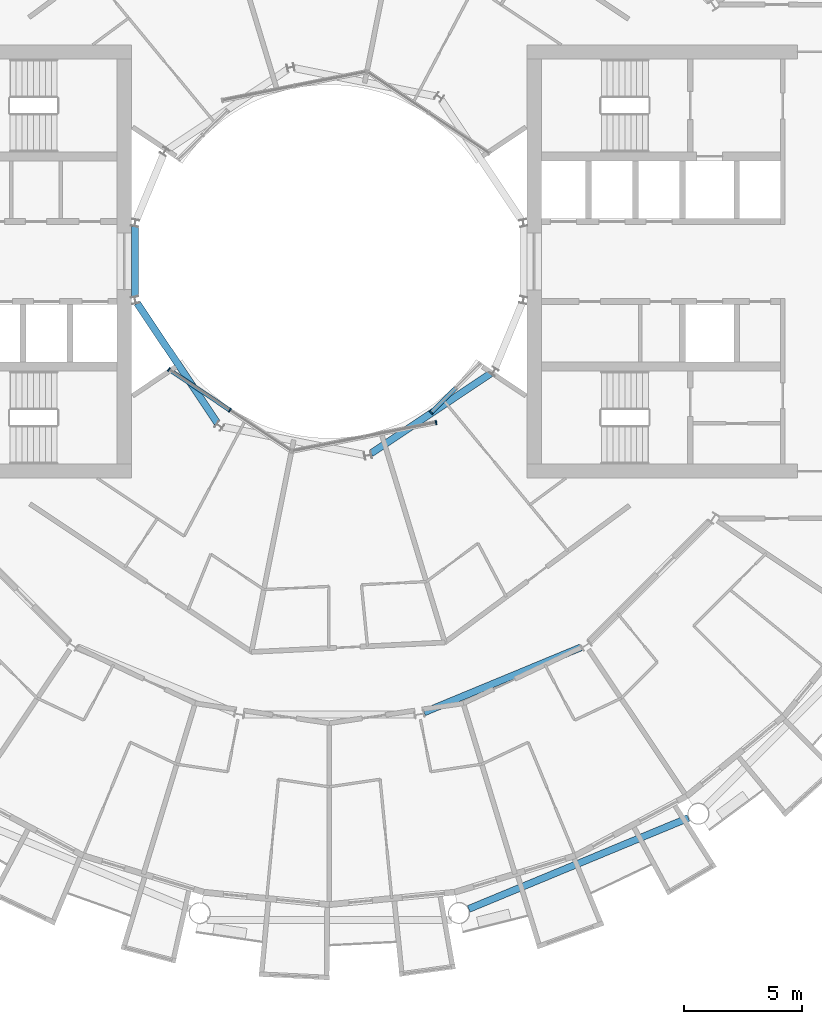
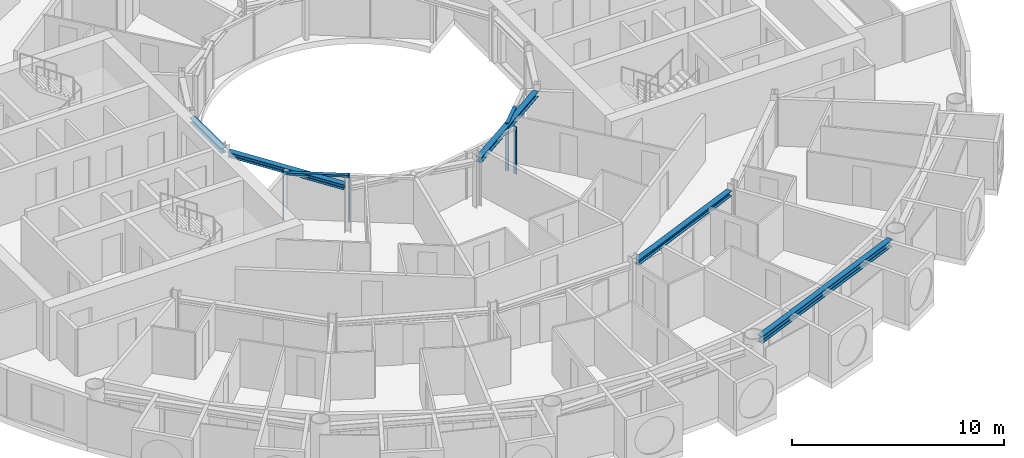
# One storey, part 6 of 27: 6 members, 5 beams, 3 elements without a shape of their own.
"""IFC4 building model written with IfcOpenShell, lengths in metres."""

from ifc_helpers import new_model, si_unit, direction, frame, origin, origin_2d, place, context, subcontext, project, spatial, rectangle, i_section, extrude, material, layer, layer_set, material_profile, profile_set, type_object, element, aggregate, save


model = new_model("IFC4")

# Units and contexts
model_context = context("Model", 3, precision=1e-05, world=origin(), true_north=direction((0.0, 1.0)))
body_context = subcontext(model_context, "Body", "Model", "MODEL_VIEW")
ifc_project = project(units=[si_unit("LENGTHUNIT", "METRE"), si_unit("AREAUNIT", "SQUARE_METRE"), si_unit("VOLUMEUNIT", "CUBIC_METRE"), si_unit("PLANEANGLEUNIT", "RADIAN"), si_unit("MASSUNIT", "GRAM", prefix="KILO")], contexts=[model_context])

# Site, building, storey
site_placement = place(None, origin())
site = spatial("IfcSite", under=ifc_project, at=site_placement, CompositionType="ELEMENT")
building_placement = place(site_placement, origin())
building = spatial("IfcBuilding", under=site, at=building_placement, Name="Maasbend Ring Residences", CompositionType="ELEMENT")
storey_placement = place(building_placement, frame((0.0, 0.0, 126.89990234375)))
storey = spatial("IfcBuildingStorey", under=building, at=storey_placement, Name="L36", CompositionType="ELEMENT", Elevation=126.89990234375)

# Curtain wall, members
ifc_material_1 = material(Name="Aluminium and clear glass", Category="aluminium")
ifc_layer = layer(ifc_material_1, 0.179931640625)
ifc_layer_set = layer_set([ifc_layer], Name="CW-W")
curtain_wall_type = type_object("IfcCurtainWallType", Name="CW-W", PredefinedType="NOTDEFINED", material=ifc_layer_set)
curtain_wall_1_placement = place(storey_placement, origin())
curtain_wall_1 = element("IfcCurtainWall", 1, at=curtain_wall_1_placement, inside=storey, type_object=curtain_wall_type, Name="Well curtain wall S1", PredefinedType="NOTDEFINED")
ifc_material_2 = material(Name="Aluminium 6063-T6", Category="aluminium")
ifc_material_profile_1 = material_profile(ifc_material_2, rectangle(XDim=0.179931640625, YDim=0.06005859375, at=origin_2d()), Name="AL 180x60")
ifc_profile_set_1 = profile_set([ifc_material_profile_1], Name="Aluminium 6063-T6")
member_type_1 = type_object("IfcMemberType", Name="CWM-W", PredefinedType="MULLION", material=ifc_profile_set_1)
member_1_placement = place(storey_placement, frame((-6.805908203125, -4.580810546875, 0.0), z_axis=(0.0, 0.0, 1.0), x_axis=(0.55557023302, 0.831469612303, 0.0)))
member_1 = element("IfcMember", 2, at=member_1_placement, type_object=member_type_1, Name="Mullion well face", PredefinedType="MULLION", context=body_context, shape_type="SweptSolid", body=[
    extrude(rectangle(XDim=0.179931640625, YDim=0.06005859375, at=origin_2d()), origin(), (0.0, 0.0, 1.0), 2.7001953125),
])
member_2_placement = place(storey_placement, frame((-4.216796875, -6.310791015625, 0.0), z_axis=(0.0, 0.0, 1.0), x_axis=(0.55557023302, 0.831469612303, 0.0)))
member_2 = element("IfcMember", 3, at=member_2_placement, type_object=member_type_1, Name="Mullion well face", PredefinedType="MULLION", context=body_context, shape_type="SweptSolid", body=[
    extrude(rectangle(XDim=0.179931640625, YDim=0.06005859375, at=origin_2d()), origin(), (0.0, 0.0, 1.0), 2.7001953125),
])

# Curtain wall, member
curtain_wall_2_placement = place(storey_placement, origin())
curtain_wall_2 = element("IfcCurtainWall", 4, at=curtain_wall_2_placement, inside=storey, type_object=curtain_wall_type, Name="Well curtain wall S2", PredefinedType="NOTDEFINED")
member_3_placement = place(storey_placement, frame((4.53466796875, -6.836669921875, 0.0), z_axis=(0.0, 0.0, 1.0), x_axis=(-0.195090322016, 0.980785280403, 0.0)))
member_3 = element("IfcMember", 5, at=member_3_placement, type_object=member_type_1, Name="Mullion well face", PredefinedType="MULLION", context=body_context, shape_type="SweptSolid", body=[
    extrude(rectangle(XDim=0.179931640625, YDim=0.06005859375, at=origin_2d()), origin(), (0.0, 0.0, 1.0), 2.7001953125),
])
aggregate(curtain_wall_2, [member_3])

curtain_wall_3_placement = place(storey_placement, origin())
curtain_wall_3 = element("IfcCurtainWall", 6, at=curtain_wall_3_placement, inside=storey, type_object=curtain_wall_type, Name="Well curtain wall S3", PredefinedType="NOTDEFINED")
member_4_placement = place(storey_placement, frame((4.320556640625, -6.413330078125, 0.0), z_axis=(0.0, 0.0, 1.0), x_axis=(-0.707106781187, 0.707106781187, 0.0)))
member_4 = element("IfcMember", 7, at=member_4_placement, type_object=member_type_1, Name="Mullion well face", PredefinedType="MULLION", context=body_context, shape_type="SweptSolid", body=[
    extrude(rectangle(XDim=0.179931640625, YDim=0.06005859375, at=origin_2d()), origin(), (0.0, 0.0, 1.0), 2.7001953125),
])

# Member
ifc_material_3 = material(Name="Aluminium 6063-T6", Category="aluminium")
ifc_material_profile_2 = material_profile(ifc_material_3, rectangle(XDim=0.179931640625, YDim=0.1201171875, at=origin_2d()), Name="AL 180x120")
ifc_profile_set_2 = profile_set([ifc_material_profile_2], Name="Aluminium 6063-T6")
member_type_2 = type_object("IfcMemberType", Name="CWT-W", PredefinedType="USERDEFINED", material=ifc_profile_set_2)
member_5_placement = place(storey_placement, frame((-6.781005859375, -4.59765625, 2.64013671875), z_axis=(0.831496422459, -0.555530106689, 0.0), x_axis=(0.555530106689, 0.831496422459, 0.0)))
member_5 = element("IfcMember", 8, at=member_5_placement, type_object=member_type_2, Name="Transom well face", ObjectType="TRANSOM", PredefinedType="USERDEFINED", context=body_context, shape_type="SweptSolid", body=[
    extrude(rectangle(XDim=0.179931640625, YDim=0.1201171875, at=origin_2d()), origin(), (0.0, 0.0, 1.0), 3.053955078125),
])

aggregate(curtain_wall_1, [member_1, member_2, member_5])

member_6_placement = place(storey_placement, frame((4.341796875, -6.39208984375, 2.64013671875), z_axis=(0.707106781187, 0.707106781187, 0.0), x_axis=(-0.707106781187, 0.707106781187, 0.0)))
member_6 = element("IfcMember", 9, at=member_6_placement, type_object=member_type_2, Name="Transom well face", ObjectType="TRANSOM", PredefinedType="USERDEFINED", context=body_context, shape_type="SweptSolid", body=[
    extrude(rectangle(XDim=0.179931640625, YDim=0.1201171875, at=origin_2d()), origin(), (0.0, 0.0, 1.0), 1.419677734375),
])

aggregate(curtain_wall_3, [member_4, member_6])

# Beams
ifc_material_4 = material(Name="Steel S355J2", Category="steel")
ifc_material_profile_3 = material_profile(ifc_material_4, i_section(OverallWidth=0.300048828125, OverallDepth=0.2900390625, WebThickness=0.008544921875, FlangeThickness=0.013916015625, FilletRadius=0.027099609375, at=origin_2d()), Name="HEA 300")
ifc_profile_set_3 = profile_set([ifc_material_profile_3], Name="Steel S355J2")
beam_type_1 = type_object("IfcBeamType", Name="Corridor ring beam HEA 300", PredefinedType="BEAM", material=ifc_profile_set_3)
beam_1_placement = place(storey_placement, frame((4.02734375, -19.13916015625, 2.55517578125), z_axis=(0.923877693919, 0.382687871089, 0.0), x_axis=(-0.382687871089, 0.923877693919, 0.0)))
element("IfcBeam", 10, at=beam_1_placement, inside=storey, type_object=beam_type_1, Name="Corridor ring beam", PredefinedType="BEAM", context=body_context, shape_type="SweptSolid", body=[
    extrude(i_section(OverallWidth=0.300048828125, OverallDepth=0.2900390625, WebThickness=0.008544921875, FlangeThickness=0.013916015625, FilletRadius=0.027099609375, at=origin_2d()), origin(), (0.0, 0.0, 1.0), 7.20703125),
])
ifc_material_5 = material(Name="Steel S355J2", Category="steel")
ifc_material_profile_4 = material_profile(ifc_material_5, i_section(OverallWidth=0.300048828125, OverallDepth=0.39990234375, WebThickness=0.013427734375, FlangeThickness=0.02392578125, FilletRadius=0.027099609375, at=origin_2d()), Name="HEB 400")
ifc_profile_set_4 = profile_set([ifc_material_profile_4], Name="Steel S355J2")
beam_type_2 = type_object("IfcBeamType", Name="Spandrel ring beam HEB 400", PredefinedType="SPANDREL", material=ifc_profile_set_4)
beam_2_placement = place(storey_placement, frame((5.923583984375, -27.483154296875, 2.5), z_axis=(0.92388529709, 0.382669515144, 0.0), x_axis=(-0.382669515144, 0.92388529709, 0.0)))
element("IfcBeam", 11, at=beam_2_placement, inside=storey, type_object=beam_type_2, Name="Spandrel ring beam", PredefinedType="SPANDREL", context=body_context, shape_type="SweptSolid", body=[
    extrude(i_section(OverallWidth=0.300048828125, OverallDepth=0.39990234375, WebThickness=0.013427734375, FlangeThickness=0.02392578125, FilletRadius=0.027099609375, at=origin_2d()), origin(), (0.0, 0.0, 1.0), 10.089111328125),
])
ifc_material_6 = material(Name="Steel S355J2", Category="steel")
ifc_material_profile_5 = material_profile(ifc_material_6, i_section(OverallWidth=0.300048828125, OverallDepth=0.2900390625, WebThickness=0.008544921875, FlangeThickness=0.013916015625, FilletRadius=0.027099609375, at=origin_2d()), Name="HEA 300")
ifc_profile_set_5 = profile_set([ifc_material_profile_5], Name="Steel S355J2")
beam_type_3 = type_object("IfcBeamType", Name="Well edge beam HEA 300", PredefinedType="BEAM", material=ifc_profile_set_5)
beam_3_placement = place(storey_placement, frame((-8.238525390625, 1.48583984375, 2.55517578125), z_axis=(0.0, -1.0, 0.0), x_axis=(1.0, 0.0, 0.0)))
element("IfcBeam", 12, at=beam_3_placement, inside=storey, type_object=beam_type_3, Name="Well edge beam", PredefinedType="BEAM", context=body_context, shape_type="SweptSolid", body=[
    extrude(i_section(OverallWidth=0.300048828125, OverallDepth=0.2900390625, WebThickness=0.008544921875, FlangeThickness=0.013916015625, FilletRadius=0.027099609375, at=origin_2d()), origin(), (0.0, 0.0, 1.0), 2.9716796875),
])
for number, where, z_axis, x_axis, name in (
    (13, (-8.1484375, -1.773681640625, 2.55517578125), (0.555558236289, -0.831477628137, 0.0), (0.831477628137, 0.555558236289, 0.0), "Well edge beam"),
    (14, (1.773681640625, -8.1484375, 2.55517578125), (0.831477628137, 0.555558236289, 0.0), (-0.555558236289, 0.831477628137, 0.0), "Well edge beam"),
):
    element("IfcBeam", number, at=place(storey_placement, frame(where, z_axis=z_axis, x_axis=x_axis)), inside=storey, type_object=beam_type_3, Name=name, PredefinedType="BEAM", context=body_context, shape_type="SweptSolid", body=[
        extrude(i_section(OverallWidth=0.300048828125, OverallDepth=0.2900390625, WebThickness=0.008544921875, FlangeThickness=0.013916015625, FilletRadius=0.027099609375, at=origin_2d()), origin(), (0.0, 0.0, 1.0), 6.1044921875),
    ])

save(model, "model.ifc")
